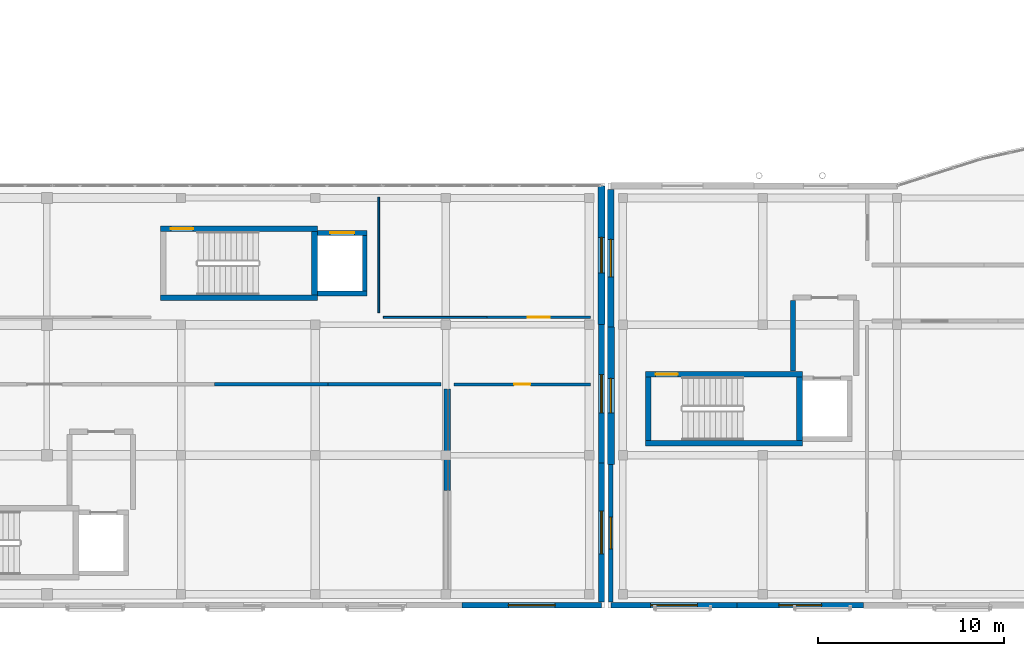
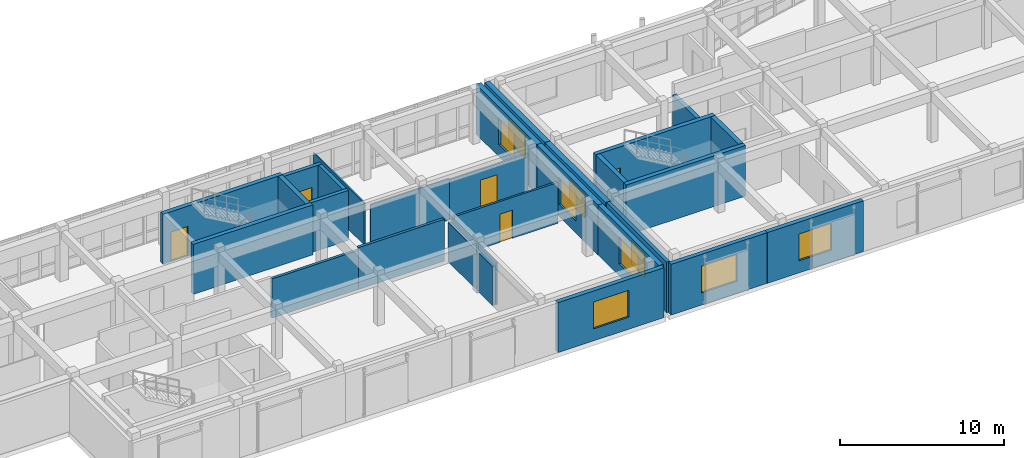
# One storey, part 78 of 91: 28 walls, 9 windows, 5 doors, 14 openings.
"""IFC4 building model written with IfcOpenShell, lengths in metres."""

from ifc_helpers import new_model, si_unit, direction, frame, frame_2d, origin, place, context, subcontext, project, spatial, rectangle, extrude, material, layer, layer_set, type_object, element, fill, save


model = new_model("IFC4")

# Units and contexts
model_context = context("Model", 3, precision=1e-05, world=origin(), true_north=direction((0.0, 1.0)))
body_context = subcontext(model_context, "Body", "Model", "MODEL_VIEW")
ifc_project = project(units=[si_unit("LENGTHUNIT", "METRE"), si_unit("AREAUNIT", "SQUARE_METRE"), si_unit("VOLUMEUNIT", "CUBIC_METRE"), si_unit("PLANEANGLEUNIT", "RADIAN"), si_unit("MASSUNIT", "GRAM", prefix="KILO")], contexts=[model_context])

# Site, building, storey
site_placement = place(None, origin())
site = spatial("IfcSite", under=ifc_project, at=site_placement, CompositionType="ELEMENT")
building_placement = place(site_placement, origin())
building = spatial("IfcBuilding", under=site, at=building_placement, Name="Valcora Specialist Clinic", CompositionType="ELEMENT")
storey_placement = place(building_placement, frame((0.0, 0.0, 13.60009765625)))
storey = spatial("IfcBuildingStorey", under=building, at=storey_placement, Name="L03", CompositionType="ELEMENT", Elevation=13.60009765625)

# Walls
ifc_material_1 = material(Name="Concrete C40/50", Category="concrete")
ifc_layer_1 = layer(ifc_material_1, 0.284912109375)
ifc_layer_set_1 = layer_set([ifc_layer_1], Name="Concrete C40/50")
wall_type_1 = type_object("IfcWallType", Name="TY-WL-CR285", PredefinedType="SHEAR", material=ifc_layer_set_1)
wall_1_placement = place(storey_placement, frame((63.419921875, 12.719970703125, 0.0), z_axis=(0.0, 0.0, 1.0), x_axis=(0.0, 1.0, 0.0)))
element("IfcWall", 1, at=wall_1_placement, inside=storey, type_object=wall_type_1, Name="Firefighting lobby west wall", PredefinedType="SHEAR", context=body_context, shape_type="SweptSolid", body=[
    extrude(rectangle(XDim=3.7900390625, YDim=0.284912109375, at=frame_2d((1.89501953125, 0.0))), origin(), (0.0, 0.0, 1.0), 3.02978515625),
])
ifc_layer_2 = layer(ifc_material_1, 0.300048828125)
ifc_layer_set_2 = layer_set([ifc_layer_2], Name="Concrete C40/50")
wall_type_2 = type_object("IfcWallType", Name="TY-WL-CR300", PredefinedType="SHEAR", material=ifc_layer_set_2)
wall_2_placement = place(storey_placement, frame((29.5, 16.64990234375, 0.0), z_axis=(0.0, 0.0, 1.0), x_axis=(1.0, 0.0, 0.0)))
element("IfcWall", 2, at=wall_2_placement, inside=storey, type_object=wall_type_2, Name="Core shear wall WL-CR-C-V5B-L03-S", PredefinedType="SHEAR", context=body_context, shape_type="SweptSolid", body=[
    extrude(rectangle(XDim=8.419921875, YDim=0.300048828125, at=frame_2d((4.2099609375, 0.0))), origin(), (0.0, 0.0, 1.0), 3.719970703125),
])

# Wall, opening, door
wall_3_placement = place(storey_placement, frame((29.5, 20.35009765625, 0.0), z_axis=(0.0, 0.0, 1.0), x_axis=(1.0, 0.0, 0.0)))
wall_3 = element("IfcWall", 3, at=wall_3_placement, inside=storey, type_object=wall_type_2, Name="Core shear wall WL-CR-C-V5B-L03-N", PredefinedType="SHEAR", context=body_context, shape_type="SweptSolid", body=[
    extrude(rectangle(XDim=8.419921875, YDim=0.300048828125, at=frame_2d((4.2099609375, 0.0))), origin(), (0.0, 0.0, 1.0), 3.719970703125),
])
opening_1_placement = place(wall_3_placement, frame((0.550048828125, 0.0, 0.0)))
opening_1 = element("IfcOpeningElement", 4, at=opening_1_placement, cuts=wall_3, Name="Opening DR-FD-120", PredefinedType="OPENING", context=body_context, shape_type="SweptSolid", body=[
    extrude(rectangle(XDim=1.199951171875, YDim=2.199951171875, at=frame_2d((0.60009765625, 1.10009765625))), frame((0.0, 0.159912109375, 0.0), z_axis=(0.0, -1.0, 0.0), x_axis=(1.0, 0.0, 0.0)), (0.0, 0.0, 1.0), 0.320068359375),
])
ifc_material_2 = material(Name="Galvanized Hollow Metal Door Steel ASTM A653", Category="steel")
door_type_1 = type_object("IfcDoorType", Name="TY-DR-ST120", OperationType="NOTDEFINED", PredefinedType="DOOR", material=ifc_material_2)
door_1_placement = place(opening_1_placement, origin())
door_1 = element("IfcDoor", 5, at=door_1_placement, inside=storey, type_object=door_type_1, Name="Exit stair fire door C-V5B L03", OperationType="SINGLE_SWING_RIGHT", OverallHeight=2.199951171875, OverallWidth=1.199951171875, PredefinedType="DOOR", context=body_context, shape_type="SweptSolid", body=[
    extrude(rectangle(XDim=1.199951171875, YDim=2.199951171875, at=frame_2d((0.60009765625, 1.10009765625))), frame((0.0, 0.02490234375, 0.0), z_axis=(0.0, -1.0, 0.0), x_axis=(1.0, 0.0, 0.0)), (0.0, 0.0, 1.0), 0.050048828125),
])
fill(opening_1, door_1)

# Wall
wall_4_placement = place(storey_placement, frame((55.5, 8.85009765625, 0.0), z_axis=(0.0, 0.0, 1.0), x_axis=(1.0, 0.0, 0.0)))
element("IfcWall", 6, at=wall_4_placement, inside=storey, type_object=wall_type_2, Name="Core shear wall WL-CR-C-V6A-L03-S", PredefinedType="SHEAR", context=body_context, shape_type="SweptSolid", body=[
    extrude(rectangle(XDim=8.419921875, YDim=0.300048828125, at=frame_2d((4.2099609375, 0.0))), origin(), (0.0, 0.0, 1.0), 3.77978515625),
])

# Wall, opening, door
wall_5_placement = place(storey_placement, frame((55.5, 12.550048828125, 0.0), z_axis=(0.0, 0.0, 1.0), x_axis=(1.0, 0.0, 0.0)))
wall_5 = element("IfcWall", 7, at=wall_5_placement, inside=storey, type_object=wall_type_2, Name="Core shear wall WL-CR-C-V6A-L03-N", PredefinedType="SHEAR", context=body_context, shape_type="SweptSolid", body=[
    extrude(rectangle(XDim=8.419921875, YDim=0.300048828125, at=frame_2d((4.2099609375, 0.0))), origin(), (0.0, 0.0, 1.0), 3.77978515625),
])
opening_2_placement = place(wall_5_placement, frame((0.550048828125, 0.0, 0.0)))
opening_2 = element("IfcOpeningElement", 8, at=opening_2_placement, cuts=wall_5, Name="Opening DR-FD-120", PredefinedType="OPENING", context=body_context, shape_type="SweptSolid", body=[
    extrude(rectangle(XDim=1.199951171875, YDim=2.199951171875, at=frame_2d((0.60009765625, 1.10009765625))), frame((0.0, 0.159912109375, 0.0), z_axis=(0.0, -1.0, 0.0), x_axis=(1.0, 0.0, 0.0)), (0.0, 0.0, 1.0), 0.320068359375),
])
door_2_placement = place(opening_2_placement, origin())
door_2 = element("IfcDoor", 9, at=door_2_placement, inside=storey, type_object=door_type_1, Name="Exit stair fire door C-V6A L03", OperationType="SINGLE_SWING_LEFT", OverallHeight=2.199951171875, OverallWidth=1.199951171875, PredefinedType="DOOR", context=body_context, shape_type="SweptSolid", body=[
    extrude(rectangle(XDim=1.199951171875, YDim=2.199951171875, at=frame_2d((0.60009765625, 1.10009765625))), frame((0.0, 0.02490234375, 0.0), z_axis=(0.0, -1.0, 0.0), x_axis=(1.0, 0.0, 0.0)), (0.0, 0.0, 1.0), 0.050048828125),
])
fill(opening_2, door_2)

# Walls
wall_6_placement = place(storey_placement, frame((55.64990234375, 9.001953125, 0.0), z_axis=(0.0, 0.0, 1.0), x_axis=(0.0, 1.0, 0.0)))
element("IfcWall", 10, at=wall_6_placement, inside=storey, type_object=wall_type_2, Name="Core shear wall WL-CR-C-V6A-L03-W", PredefinedType="SHEAR", context=body_context, shape_type="SweptSolid", body=[
    extrude(rectangle(XDim=3.39599609375, YDim=0.300048828125, at=frame_2d((1.697998046875, 0.0))), origin(), (0.0, 0.0, 1.0), 3.77978515625),
])
ifc_layer_3 = layer(ifc_material_1, 0.320068359375)
ifc_layer_set_3 = layer_set([ifc_layer_3], Name="Concrete C40/50")
wall_type_3 = type_object("IfcWallType", Name="TY-WL-CR320", PredefinedType="SHEAR", material=ifc_layer_set_3)
wall_7_placement = place(storey_placement, frame((37.760009765625, 16.802001953125, 0.0), z_axis=(0.0, 0.0, 1.0), x_axis=(0.0, 1.0, 0.0)))
element("IfcWall", 11, at=wall_7_placement, inside=storey, type_object=wall_type_3, Name="Core shear wall WL-CR-C-V5B-L03-E", PredefinedType="SHEAR", context=body_context, shape_type="SweptSolid", body=[
    extrude(rectangle(XDim=3.39599609375, YDim=0.320068359375, at=frame_2d((1.697998046875, 0.0))), origin(), (0.0, 0.0, 1.0), 3.719970703125),
])
wall_8_placement = place(storey_placement, frame((63.760009765625, 9.001953125, 0.0), z_axis=(0.0, 0.0, 1.0), x_axis=(0.0, 1.0, 0.0)))
element("IfcWall", 12, at=wall_8_placement, inside=storey, type_object=wall_type_3, Name="Core shear wall WL-CR-C-V6A-L03-E", PredefinedType="SHEAR", context=body_context, shape_type="SweptSolid", body=[
    extrude(rectangle(XDim=3.39599609375, YDim=0.320068359375, at=frame_2d((1.697998046875, 0.0))), origin(), (0.0, 0.0, 1.0), 3.77978515625),
])

# Wall, opening, window
ifc_material_3 = material(Name="Extruded Jalisco Clay Brick Masonry", Category="masonry")
ifc_layer_4 = layer(ifc_material_3, 0.235107421875)
ifc_layer_set_4 = layer_set([ifc_layer_4], Name="Extruded Jalisco Clay Brick Masonry")
wall_type_4 = type_object("IfcWallType", Name="TY-WL-EW235", PredefinedType="SOLIDWALL", material=ifc_layer_set_4)
wall_9_placement = place(storey_placement, frame((53.64990234375, 0.340087890625, 0.0), z_axis=(0.0, 0.0, 1.0), x_axis=(0.0, 1.0, 0.0)))
wall_9 = element("IfcWall", 13, at=wall_9_placement, inside=storey, type_object=wall_type_4, Name="Exterior wall WL-EXT-L03-0360", PredefinedType="SOLIDWALL", context=body_context, shape_type="SweptSolid", body=[
    extrude(rectangle(XDim=7.373291015625, YDim=0.235107421875, at=frame_2d((3.6865234375, 0.0))), origin(), (0.0, 0.0, 1.0), 3.77978515625),
])
opening_3_placement = place(wall_9_placement, frame((2.8369140625, 0.0, 0.89990234375)))
opening_3 = element("IfcOpeningElement", 14, at=opening_3_placement, cuts=wall_9, Name="Opening WN-16", PredefinedType="OPENING", context=body_context, shape_type="SweptSolid", body=[
    extrude(rectangle(XDim=1.699951171875, YDim=1.75, at=frame_2d((0.85009765625, 0.875))), frame((0.0, 0.12744140625, 0.0), z_axis=(0.0, -1.0, 0.0), x_axis=(1.0, 0.0, 0.0)), (0.0, 0.0, 1.0), 0.255126953125),
])
ifc_material_4 = material(Name="Low-E Laminated Insulating Glass", Category="glass")
window_type_1 = type_object("IfcWindowType", Name="TY-WN-16", PartitioningType="SINGLE_PANEL", PredefinedType="WINDOW", material=ifc_material_4)
window_1_placement = place(opening_3_placement, origin())
window_1 = element("IfcWindow", 15, at=window_1_placement, inside=storey, type_object=window_type_1, Name="Facade window WN-L03-0310", OverallHeight=1.75, OverallWidth=1.699951171875, PartitioningType="SINGLE_PANEL", PredefinedType="WINDOW", context=body_context, shape_type="SweptSolid", body=[
    extrude(rectangle(XDim=1.699951171875, YDim=1.75, at=frame_2d((0.85009765625, 0.875))), frame((0.0, 0.030029296875, 0.0), z_axis=(0.0, -1.0, 0.0), x_axis=(1.0, 0.0, 0.0)), (0.0, 0.0, 1.0), 0.06005859375),
])
fill(opening_3, window_1)

ifc_layer_5 = layer(ifc_material_3, 0.294921875)
ifc_layer_set_5 = layer_set([ifc_layer_5], Name="Extruded Jalisco Clay Brick Masonry")
wall_type_5 = type_object("IfcWallType", Name="TY-WL-EW295", PredefinedType="SOLIDWALL", material=ifc_layer_set_5)
wall_10_placement = place(storey_placement, frame((60.425048828125, 0.14990234375, 0.0), z_axis=(0.0, 0.0, 1.0), x_axis=(-1.0, 0.0, 0.0)))
wall_10 = element("IfcWall", 16, at=wall_10_placement, inside=storey, type_object=wall_type_5, Name="Exterior wall WL-EXT-L03-0376", PredefinedType="SOLIDWALL", context=body_context, shape_type="SweptSolid", body=[
    extrude(rectangle(XDim=6.775146484375, YDim=0.294921875, at=frame_2d((3.3876953125, 0.0))), origin(), (0.0, 0.0, 1.0), 3.77978515625),
])
opening_4_placement = place(wall_10_placement, frame((2.136962890625, 0.0, 0.89990234375)))
opening_4 = element("IfcOpeningElement", 17, at=opening_4_placement, cuts=wall_10, Name="Opening WN-29", PredefinedType="OPENING", context=body_context, shape_type="SweptSolid", body=[
    extrude(rectangle(XDim=2.5, YDim=2.0, at=frame_2d((1.25, 1.0))), frame((0.0, 0.157470703125, 0.0), z_axis=(0.0, -1.0, 0.0), x_axis=(1.0, 0.0, 0.0)), (0.0, 0.0, 1.0), 0.31494140625),
])
window_type_2 = type_object("IfcWindowType", Name="TY-WN-29", PartitioningType="SINGLE_PANEL", PredefinedType="WINDOW", material=ifc_material_4)
window_2_placement = place(opening_4_placement, origin())
window_2 = element("IfcWindow", 18, at=window_2_placement, inside=storey, type_object=window_type_2, Name="Facade window WN-L03-0323", OverallHeight=2.0, OverallWidth=2.5, PartitioningType="SINGLE_PANEL", PredefinedType="WINDOW", context=body_context, shape_type="SweptSolid", body=[
    extrude(rectangle(XDim=2.5, YDim=2.0, at=frame_2d((1.25, 1.0))), frame((0.0, 0.030029296875, 0.0), z_axis=(0.0, -1.0, 0.0), x_axis=(1.0, 0.0, 0.0)), (0.0, 0.0, 1.0), 0.06005859375),
])
fill(opening_4, window_2)

ifc_layer_6 = layer(ifc_material_3, 0.31005859375)
ifc_layer_set_6 = layer_set([ifc_layer_6], Name="Extruded Jalisco Clay Brick Masonry")
wall_type_6 = type_object("IfcWallType", Name="TY-WL-EW310", PredefinedType="SOLIDWALL", material=ifc_layer_set_6)
wall_11_placement = place(storey_placement, frame((53.14990234375, 0.14990234375, 0.0), z_axis=(0.0, 0.0, 1.0), x_axis=(-1.0, 0.0, 0.0)))
wall_11 = element("IfcWall", 19, at=wall_11_placement, inside=storey, type_object=wall_type_6, Name="Exterior wall WL-EXT-L03-0275", PredefinedType="SOLIDWALL", context=body_context, shape_type="SweptSolid", body=[
    extrude(rectangle(XDim=7.47998046875, YDim=0.31005859375, at=frame_2d((3.739990234375, 0.0))), origin(), (0.0, 0.0, 1.0), 3.719970703125),
])
opening_5_placement = place(wall_11_placement, frame((2.489990234375, 0.0, 0.89990234375)))
opening_5 = element("IfcOpeningElement", 20, at=opening_5_placement, cuts=wall_11, Name="Opening WN-29", PredefinedType="OPENING", context=body_context, shape_type="SweptSolid", body=[
    extrude(rectangle(XDim=2.5, YDim=2.0, at=frame_2d((1.25, 1.0))), frame((0.0, 0.1650390625, 0.0), z_axis=(0.0, -1.0, 0.0), x_axis=(1.0, 0.0, 0.0)), (0.0, 0.0, 1.0), 0.330078125),
])
window_3_placement = place(opening_5_placement, origin())
window_3 = element("IfcWindow", 21, at=window_3_placement, inside=storey, type_object=window_type_2, Name="Facade window WN-L03-0239", OverallHeight=2.0, OverallWidth=2.5, PartitioningType="SINGLE_PANEL", PredefinedType="WINDOW", context=body_context, shape_type="SweptSolid", body=[
    extrude(rectangle(XDim=2.5, YDim=2.0, at=frame_2d((1.25, 1.0))), frame((0.0, 0.030029296875, 0.0), z_axis=(0.0, -1.0, 0.0), x_axis=(1.0, 0.0, 0.0)), (0.0, 0.0, 1.0), 0.06005859375),
])
fill(opening_5, window_3)

wall_12_placement = place(storey_placement, frame((67.199951171875, 0.14990234375, 0.0), z_axis=(0.0, 0.0, 1.0), x_axis=(-1.0, 0.0, 0.0)))
wall_12 = element("IfcWall", 22, at=wall_12_placement, inside=storey, type_object=wall_type_6, Name="Exterior wall WL-EXT-L03-0375", PredefinedType="SOLIDWALL", context=body_context, shape_type="SweptSolid", body=[
    extrude(rectangle(XDim=6.77490234375, YDim=0.31005859375, at=frame_2d((3.387451171875, 0.0))), origin(), (0.0, 0.0, 1.0), 3.77978515625),
])
opening_6_placement = place(wall_12_placement, frame((2.238037109375, 0.0, 0.89990234375)))
opening_6 = element("IfcOpeningElement", 23, at=opening_6_placement, cuts=wall_12, Name="Opening WN-28", PredefinedType="OPENING", context=body_context, shape_type="SweptSolid", body=[
    extrude(rectangle(XDim=2.300048828125, YDim=2.0, at=frame_2d((1.14990234375, 1.0))), frame((0.0, 0.1650390625, 0.0), z_axis=(0.0, -1.0, 0.0), x_axis=(1.0, 0.0, 0.0)), (0.0, 0.0, 1.0), 0.330078125),
])
window_type_3 = type_object("IfcWindowType", Name="TY-WN-28", PartitioningType="SINGLE_PANEL", PredefinedType="WINDOW", material=ifc_material_4)
window_4_placement = place(opening_6_placement, origin())
window_4 = element("IfcWindow", 24, at=window_4_placement, inside=storey, type_object=window_type_3, Name="Facade window WN-L03-0322", OverallHeight=2.0, OverallWidth=2.300048828125, PartitioningType="SINGLE_PANEL", PredefinedType="WINDOW", context=body_context, shape_type="SweptSolid", body=[
    extrude(rectangle(XDim=2.300048828125, YDim=2.0, at=frame_2d((1.14990234375, 1.0))), frame((0.0, 0.030029296875, 0.0), z_axis=(0.0, -1.0, 0.0), x_axis=(1.0, 0.0, 0.0)), (0.0, 0.0, 1.0), 0.06005859375),
])
fill(opening_6, window_4)

ifc_layer_7 = layer(ifc_material_3, 0.324951171875)
ifc_layer_set_7 = layer_set([ifc_layer_7], Name="Extruded Jalisco Clay Brick Masonry")
wall_type_7 = type_object("IfcWallType", Name="TY-WL-EW325", PredefinedType="SOLIDWALL", material=ifc_layer_set_7)
wall_13_placement = place(storey_placement, frame((53.14990234375, 7.776611328125, 0.0), z_axis=(0.0, 0.0, 1.0), x_axis=(0.0, -1.0, 0.0)))
wall_13 = element("IfcWall", 25, at=wall_13_placement, inside=storey, type_object=wall_type_7, Name="Exterior wall WL-EXT-L03-0274", PredefinedType="SOLIDWALL", context=body_context, shape_type="SweptSolid", body=[
    extrude(rectangle(XDim=7.4365234375, YDim=0.324951171875, at=frame_2d((3.71826171875, 0.0))), origin(), (0.0, 0.0, 1.0), 3.719970703125),
])
opening_7_placement = place(wall_13_placement, frame((2.568115234375, 0.0, 0.89990234375)))
opening_7 = element("IfcOpeningElement", 26, at=opening_7_placement, cuts=wall_13, Name="Opening WN-28", PredefinedType="OPENING", context=body_context, shape_type="SweptSolid", body=[
    extrude(rectangle(XDim=2.300048828125, YDim=2.0, at=frame_2d((1.14990234375, 1.0))), frame((0.0, 0.17236328125, 0.0), z_axis=(0.0, -1.0, 0.0), x_axis=(1.0, 0.0, 0.0)), (0.0, 0.0, 1.0), 0.344970703125),
])
window_5_placement = place(opening_7_placement, origin())
window_5 = element("IfcWindow", 27, at=window_5_placement, inside=storey, type_object=window_type_3, Name="Facade window WN-L03-0238", OverallHeight=2.0, OverallWidth=2.300048828125, PartitioningType="SINGLE_PANEL", PredefinedType="WINDOW", context=body_context, shape_type="SweptSolid", body=[
    extrude(rectangle(XDim=2.300048828125, YDim=2.0, at=frame_2d((1.14990234375, 1.0))), frame((0.0, 0.030029296875, 0.0), z_axis=(0.0, -1.0, 0.0), x_axis=(1.0, 0.0, 0.0)), (0.0, 0.0, 1.0), 0.06005859375),
])
fill(opening_7, window_5)

ifc_layer_8 = layer(ifc_material_3, 0.340087890625)
ifc_layer_set_8 = layer_set([ifc_layer_8], Name="Extruded Jalisco Clay Brick Masonry")
wall_type_8 = type_object("IfcWallType", Name="TY-WL-EW340", PredefinedType="SOLIDWALL", material=ifc_layer_set_8)
wall_14_placement = place(storey_placement, frame((53.14990234375, 15.21337890625, 0.0), z_axis=(0.0, 0.0, 1.0), x_axis=(0.0, -1.0, 0.0)))
wall_14 = element("IfcWall", 28, at=wall_14_placement, inside=storey, type_object=wall_type_8, Name="Exterior wall WL-EXT-L03-0273", PredefinedType="SOLIDWALL", context=body_context, shape_type="SweptSolid", body=[
    extrude(rectangle(XDim=7.436767578125, YDim=0.340087890625, at=frame_2d((3.71826171875, 0.0))), origin(), (0.0, 0.0, 1.0), 3.719970703125),
])
opening_8_placement = place(wall_14_placement, frame((2.693115234375, 0.0, 0.89990234375)))
opening_8 = element("IfcOpeningElement", 29, at=opening_8_placement, cuts=wall_14, Name="Opening WN-27", PredefinedType="OPENING", context=body_context, shape_type="SweptSolid", body=[
    extrude(rectangle(XDim=2.050048828125, YDim=2.0, at=frame_2d((1.02490234375, 1.0))), frame((0.0, 0.179931640625, 0.0), z_axis=(0.0, -1.0, 0.0), x_axis=(1.0, 0.0, 0.0)), (0.0, 0.0, 1.0), 0.360107421875),
])
window_type_4 = type_object("IfcWindowType", Name="TY-WN-27", PartitioningType="SINGLE_PANEL", PredefinedType="WINDOW", material=ifc_material_4)
window_6_placement = place(opening_8_placement, origin())
window_6 = element("IfcWindow", 30, at=window_6_placement, inside=storey, type_object=window_type_4, Name="Facade window WN-L03-0237", OverallHeight=2.0, OverallWidth=2.050048828125, PartitioningType="SINGLE_PANEL", PredefinedType="WINDOW", context=body_context, shape_type="SweptSolid", body=[
    extrude(rectangle(XDim=2.050048828125, YDim=2.0, at=frame_2d((1.02490234375, 1.0))), frame((0.0, 0.030029296875, 0.0), z_axis=(0.0, -1.0, 0.0), x_axis=(1.0, 0.0, 0.0)), (0.0, 0.0, 1.0), 0.06005859375),
])
fill(opening_8, window_6)

ifc_layer_9 = layer(ifc_material_3, 0.35498046875)
ifc_layer_set_9 = layer_set([ifc_layer_9], Name="Extruded Jalisco Clay Brick Masonry")
wall_type_9 = type_object("IfcWallType", Name="TY-WL-EW355", PredefinedType="SOLIDWALL", material=ifc_layer_set_9)
wall_15_placement = place(storey_placement, frame((53.14990234375, 22.64990234375, 0.0), z_axis=(0.0, 0.0, 1.0), x_axis=(0.0, -1.0, 0.0)))
wall_15 = element("IfcWall", 31, at=wall_15_placement, inside=storey, type_object=wall_type_9, Name="Exterior wall WL-EXT-L03-0272", PredefinedType="SOLIDWALL", context=body_context, shape_type="SweptSolid", body=[
    extrude(rectangle(XDim=7.4365234375, YDim=0.35498046875, at=frame_2d((3.71826171875, 0.0))), origin(), (0.0, 0.0, 1.0), 3.719970703125),
])
opening_9_placement = place(wall_15_placement, frame((2.76806640625, 0.0, 0.89990234375)))
opening_9 = element("IfcOpeningElement", 32, at=opening_9_placement, cuts=wall_15, Name="Opening WN-26", PredefinedType="OPENING", context=body_context, shape_type="SweptSolid", body=[
    extrude(rectangle(XDim=1.89990234375, YDim=2.0, at=frame_2d((0.949951171875, 1.0))), frame((0.0, 0.1875, 0.0), z_axis=(0.0, -1.0, 0.0), x_axis=(1.0, 0.0, 0.0)), (0.0, 0.0, 1.0), 0.375),
])
window_type_5 = type_object("IfcWindowType", Name="TY-WN-26", PartitioningType="SINGLE_PANEL", PredefinedType="WINDOW", material=ifc_material_4)
window_7_placement = place(opening_9_placement, origin())
window_7 = element("IfcWindow", 33, at=window_7_placement, inside=storey, type_object=window_type_5, Name="Facade window WN-L03-0236", OverallHeight=2.0, OverallWidth=1.89990234375, PartitioningType="SINGLE_PANEL", PredefinedType="WINDOW", context=body_context, shape_type="SweptSolid", body=[
    extrude(rectangle(XDim=1.89990234375, YDim=2.0, at=frame_2d((0.949951171875, 1.0))), frame((0.0, 0.030029296875, 0.0), z_axis=(0.0, -1.0, 0.0), x_axis=(1.0, 0.0, 0.0)), (0.0, 0.0, 1.0), 0.06005859375),
])
fill(opening_9, window_7)

wall_16_placement = place(storey_placement, frame((53.64990234375, 15.086669921875, 0.0), z_axis=(0.0, 0.0, 1.0), x_axis=(0.0, 1.0, 0.0)))
wall_16 = element("IfcWall", 34, at=wall_16_placement, inside=storey, type_object=wall_type_9, Name="Exterior wall WL-EXT-L03-0362", PredefinedType="SOLIDWALL", context=body_context, shape_type="SweptSolid", body=[
    extrude(rectangle(XDim=7.373291015625, YDim=0.35498046875, at=frame_2d((3.6865234375, 0.0))), origin(), (0.0, 0.0, 1.0), 3.77978515625),
])
opening_10_placement = place(wall_16_placement, frame((2.68701171875, 0.0, 0.89990234375)))
opening_10 = element("IfcOpeningElement", 35, at=opening_10_placement, cuts=wall_16, Name="Opening WN-18", PredefinedType="OPENING", context=body_context, shape_type="SweptSolid", body=[
    extrude(rectangle(XDim=2.0, YDim=1.75, at=frame_2d((1.0, 0.875))), frame((0.0, 0.1875, 0.0), z_axis=(0.0, -1.0, 0.0), x_axis=(1.0, 0.0, 0.0)), (0.0, 0.0, 1.0), 0.375),
])
window_type_6 = type_object("IfcWindowType", Name="TY-WN-18", PartitioningType="SINGLE_PANEL", PredefinedType="WINDOW", material=ifc_material_4)
window_8_placement = place(opening_10_placement, origin())
window_8 = element("IfcWindow", 36, at=window_8_placement, inside=storey, type_object=window_type_6, Name="Facade window WN-L03-0312", OverallHeight=1.75, OverallWidth=2.0, PartitioningType="SINGLE_PANEL", PredefinedType="WINDOW", context=body_context, shape_type="SweptSolid", body=[
    extrude(rectangle(XDim=2.0, YDim=1.75, at=frame_2d((1.0, 0.875))), frame((0.0, 0.030029296875, 0.0), z_axis=(0.0, -1.0, 0.0), x_axis=(1.0, 0.0, 0.0)), (0.0, 0.0, 1.0), 0.06005859375),
])
fill(opening_10, window_8)

ifc_layer_10 = layer(ifc_material_3, 0.3701171875)
ifc_layer_set_10 = layer_set([ifc_layer_10], Name="Extruded Jalisco Clay Brick Masonry")
wall_type_10 = type_object("IfcWallType", Name="TY-WL-EW370", PredefinedType="SOLIDWALL", material=ifc_layer_set_10)
wall_17_placement = place(storey_placement, frame((53.64990234375, 7.71337890625, 0.0), z_axis=(0.0, 0.0, 1.0), x_axis=(0.0, 1.0, 0.0)))
wall_17 = element("IfcWall", 37, at=wall_17_placement, inside=storey, type_object=wall_type_10, Name="Exterior wall WL-EXT-L03-0361", PredefinedType="SOLIDWALL", context=body_context, shape_type="SweptSolid", body=[
    extrude(rectangle(XDim=7.373291015625, YDim=0.3701171875, at=frame_2d((3.6865234375, 0.0))), origin(), (0.0, 0.0, 1.0), 3.77978515625),
])
opening_11_placement = place(wall_17_placement, frame((2.761962890625, 0.0, 0.89990234375)))
opening_11 = element("IfcOpeningElement", 38, at=opening_11_placement, cuts=wall_17, Name="Opening WN-17", PredefinedType="OPENING", context=body_context, shape_type="SweptSolid", body=[
    extrude(rectangle(XDim=1.85009765625, YDim=1.75, at=frame_2d((0.925048828125, 0.875))), frame((0.0, 0.195068359375, 0.0), z_axis=(0.0, -1.0, 0.0), x_axis=(1.0, 0.0, 0.0)), (0.0, 0.0, 1.0), 0.39013671875),
])
window_type_7 = type_object("IfcWindowType", Name="TY-WN-17", PartitioningType="SINGLE_PANEL", PredefinedType="WINDOW", material=ifc_material_4)
window_9_placement = place(opening_11_placement, origin())
window_9 = element("IfcWindow", 39, at=window_9_placement, inside=storey, type_object=window_type_7, Name="Facade window WN-L03-0311", OverallHeight=1.75, OverallWidth=1.85009765625, PartitioningType="SINGLE_PANEL", PredefinedType="WINDOW", context=body_context, shape_type="SweptSolid", body=[
    extrude(rectangle(XDim=1.85009765625, YDim=1.75, at=frame_2d((0.925048828125, 0.875))), frame((0.0, 0.030029296875, 0.0), z_axis=(0.0, -1.0, 0.0), x_axis=(1.0, 0.0, 0.0)), (0.0, 0.0, 1.0), 0.06005859375),
])
fill(opening_11, window_9)

# Walls
ifc_material_5 = material(Name="Gypsum Board Partition Assembly")
ifc_layer_11 = layer(ifc_material_5, 0.094970703125)
ifc_layer_set_11 = layer_set([ifc_layer_11], Name="Gypsum Board Partition Assembly")
wall_type_11 = type_object("IfcWallType", Name="TY-WL-PT095", PredefinedType="PARTITIONING", material=ifc_layer_set_11)
wall_18_placement = place(storey_placement, frame((41.199951171875, 15.85009765625, 0.0), z_axis=(0.0, 0.0, 1.0), x_axis=(0.0, 1.0, 0.0)))
element("IfcWall", 40, at=wall_18_placement, inside=storey, type_object=wall_type_11, Name="Interior partition WL-INT-L03-0437", PredefinedType="PARTITIONING", context=body_context, shape_type="SweptSolid", body=[
    extrude(rectangle(XDim=6.199951171875, YDim=0.094970703125, at=frame_2d((3.10009765625, 0.0))), origin(), (0.0, 0.0, 1.0), 3.119873046875),
])
ifc_layer_12 = layer(ifc_material_5, 0.10498046875)
ifc_layer_set_12 = layer_set([ifc_layer_12], Name="Gypsum Board Partition Assembly")
wall_type_12 = type_object("IfcWallType", Name="TY-WL-PT105", PredefinedType="PARTITIONING", material=ifc_layer_set_12)
wall_19_placement = place(storey_placement, frame((47.0, 15.60009765625, 0.0), z_axis=(0.0, 0.0, 1.0), x_axis=(-1.0, 0.0, 0.0)))
element("IfcWall", 41, at=wall_19_placement, inside=storey, type_object=wall_type_12, Name="Interior partition WL-INT-L03-0436", PredefinedType="PARTITIONING", context=body_context, shape_type="SweptSolid", body=[
    extrude(rectangle(XDim=5.550048828125, YDim=0.10498046875, at=frame_2d((2.77490234375, 0.0))), origin(), (0.0, 0.0, 1.0), 3.06982421875),
])

# Wall, opening, door
ifc_layer_13 = layer(ifc_material_5, 0.114990234375)
ifc_layer_set_13 = layer_set([ifc_layer_13], Name="Gypsum Board Partition Assembly")
wall_type_13 = type_object("IfcWallType", Name="TY-WL-PT115", PredefinedType="PARTITIONING", material=ifc_layer_set_13)
wall_20_placement = place(storey_placement, frame((52.550048828125, 15.60009765625, 0.0), z_axis=(0.0, 0.0, 1.0), x_axis=(-1.0, 0.0, 0.0)))
wall_20 = element("IfcWall", 42, at=wall_20_placement, inside=storey, type_object=wall_type_13, Name="Interior partition WL-INT-L03-0435", PredefinedType="PARTITIONING", context=body_context, shape_type="SweptSolid", body=[
    extrude(rectangle(XDim=5.550048828125, YDim=0.114990234375, at=frame_2d((2.77490234375, 0.0))), origin(), (0.0, 0.0, 1.0), 2.994873046875),
])
opening_12_placement = place(wall_20_placement, frame((2.18505859375, 0.0, 0.0)))
opening_12 = element("IfcOpeningElement", 43, at=opening_12_placement, cuts=wall_20, Name="Opening DR-CN-118", PredefinedType="OPENING", context=body_context, shape_type="SweptSolid", body=[
    extrude(rectangle(XDim=1.179931640625, YDim=2.199951171875, at=frame_2d((0.58984375, 1.10009765625))), frame((0.0, 0.0673828125, 0.0), z_axis=(0.0, -1.0, 0.0), x_axis=(1.0, 0.0, 0.0)), (0.0, 0.0, 1.0), 0.135009765625),
])
ifc_material_6 = material(Name="Glulam Conifer Class 24F", Category="wood")
door_type_2 = type_object("IfcDoorType", Name="TY-DR-CN118", OperationType="NOTDEFINED", PredefinedType="DOOR", material=ifc_material_6)
door_3_placement = place(opening_12_placement, origin())
door_3 = element("IfcDoor", 44, at=door_3_placement, inside=storey, type_object=door_type_2, Name="Interior door DR-INT-L03-0121", OperationType="SINGLE_SWING_LEFT", OverallHeight=2.199951171875, OverallWidth=1.179931640625, PredefinedType="DOOR", context=body_context, shape_type="SweptSolid", body=[
    extrude(rectangle(XDim=1.179931640625, YDim=2.199951171875, at=frame_2d((0.58984375, 1.10009765625))), frame((0.0, 0.02490234375, 0.0), z_axis=(0.0, -1.0, 0.0), x_axis=(1.0, 0.0, 0.0)), (0.0, 0.0, 1.0), 0.050048828125),
])
fill(opening_12, door_3)

# Wall
ifc_layer_14 = layer(ifc_material_5, 0.125)
ifc_layer_set_14 = layer_set([ifc_layer_14], Name="Gypsum Board Partition Assembly")
wall_type_14 = type_object("IfcWallType", Name="TY-WL-PT125", PredefinedType="PARTITIONING", material=ifc_layer_set_14)
wall_21_placement = place(storey_placement, frame((45.0, 6.300048828125, 0.0), z_axis=(0.0, 0.0, 1.0), x_axis=(0.0, 1.0, 0.0)))
element("IfcWall", 45, at=wall_21_placement, inside=storey, type_object=wall_type_14, Name="Interior partition WL-INT-L03-0434", PredefinedType="PARTITIONING", context=body_context, shape_type="SweptSolid", body=[
    extrude(rectangle(XDim=5.449951171875, YDim=0.125, at=frame_2d((2.72509765625, 0.0))), origin(), (0.0, 0.0, 1.0), 3.119873046875),
])

# Wall, opening, door
ifc_layer_15 = layer(ifc_material_5, 0.14501953125)
ifc_layer_set_15 = layer_set([ifc_layer_15], Name="Gypsum Board Partition Assembly")
wall_type_15 = type_object("IfcWallType", Name="TY-WL-PT145", PredefinedType="PARTITIONING", material=ifc_layer_set_15)
wall_22_placement = place(storey_placement, frame((45.25, 12.0, 0.0), z_axis=(0.0, 0.0, 1.0), x_axis=(1.0, 0.0, 0.0)))
wall_22 = element("IfcWall", 46, at=wall_22_placement, inside=storey, type_object=wall_type_15, Name="Interior partition WL-INT-L03-0432", PredefinedType="PARTITIONING", context=body_context, shape_type="SweptSolid", body=[
    extrude(rectangle(XDim=7.300048828125, YDim=0.14501953125, at=frame_2d((3.64990234375, 0.0))), origin(), (0.0, 0.0, 1.0), 3.044921875),
])
opening_13_placement = place(wall_22_placement, frame((3.2099609375, 0.0, 0.0)))
opening_13 = element("IfcOpeningElement", 47, at=opening_13_placement, cuts=wall_22, Name="Opening DR-WC-088", PredefinedType="OPENING", context=body_context, shape_type="SweptSolid", body=[
    extrude(rectangle(XDim=0.8798828125, YDim=2.10009765625, at=frame_2d((0.43994140625, 1.050048828125))), frame((0.0, 0.08251953125, 0.0), z_axis=(0.0, -1.0, 0.0), x_axis=(1.0, 0.0, 0.0)), (0.0, 0.0, 1.0), 0.1650390625),
])
door_type_3 = type_object("IfcDoorType", Name="TY-DR-WC088", OperationType="NOTDEFINED", PredefinedType="DOOR", material=ifc_material_6)
door_4_placement = place(opening_13_placement, origin())
door_4 = element("IfcDoor", 48, at=door_4_placement, inside=storey, type_object=door_type_3, Name="Interior door DR-INT-L03-0120", OperationType="SINGLE_SWING_RIGHT", OverallHeight=2.10009765625, OverallWidth=0.8798828125, PredefinedType="DOOR", context=body_context, shape_type="SweptSolid", body=[
    extrude(rectangle(XDim=0.8798828125, YDim=2.10009765625, at=frame_2d((0.43994140625, 1.050048828125))), frame((0.0, 0.02490234375, 0.0), z_axis=(0.0, -1.0, 0.0), x_axis=(1.0, 0.0, 0.0)), (0.0, 0.0, 1.0), 0.050048828125),
])
fill(opening_13, door_4)

# Walls
ifc_layer_16 = layer(ifc_material_5, 0.18505859375)
ifc_layer_set_16 = layer_set([ifc_layer_16], Name="Gypsum Board Partition Assembly")
wall_type_16 = type_object("IfcWallType", Name="TY-WL-PT185", PredefinedType="PARTITIONING", material=ifc_layer_set_16)
wall_23_placement = place(storey_placement, frame((44.800048828125, 11.75, 0.0), z_axis=(0.0, 0.0, 1.0), x_axis=(0.0, -1.0, 0.0)))
element("IfcWall", 49, at=wall_23_placement, inside=storey, type_object=wall_type_16, Name="Interior partition WL-INT-L03-0419", PredefinedType="PARTITIONING", context=body_context, shape_type="SweptSolid", body=[
    extrude(rectangle(XDim=5.449951171875, YDim=0.18505859375, at=frame_2d((2.72509765625, 0.0))), origin(), (0.0, 0.0, 1.0), 2.919921875),
])
wall_24_placement = place(storey_placement, frame((32.39990234375, 12.0, 0.0), z_axis=(0.0, 0.0, 1.0), x_axis=(1.0, 0.0, 0.0)))
element("IfcWall", 50, at=wall_24_placement, inside=storey, type_object=wall_type_16, Name="Interior partition WL-INT-L03-0424", PredefinedType="PARTITIONING", context=body_context, shape_type="SweptSolid", body=[
    extrude(rectangle(XDim=6.0751953125, YDim=0.18505859375, at=frame_2d((3.03759765625, 0.0))), origin(), (0.0, 0.0, 1.0), 2.919921875),
])
wall_25_placement = place(storey_placement, frame((38.47509765625, 12.0, 0.0), z_axis=(0.0, 0.0, 1.0), x_axis=(1.0, 0.0, 0.0)))
element("IfcWall", 51, at=wall_25_placement, inside=storey, type_object=wall_type_16, Name="Interior partition WL-INT-L03-0425", PredefinedType="PARTITIONING", context=body_context, shape_type="SweptSolid", body=[
    extrude(rectangle(XDim=6.074951171875, YDim=0.18505859375, at=frame_2d((3.03759765625, 0.0))), origin(), (0.0, 0.0, 1.0), 3.119873046875),
])
ifc_layer_17 = layer(ifc_material_1, 0.260009765625)
ifc_layer_set_17 = layer_set([ifc_layer_17], Name="Concrete C40/50")
wall_type_17 = type_object("IfcWallType", Name="TY-WL-SH260", PredefinedType="SHEAR", material=ifc_layer_set_17)
wall_26_placement = place(storey_placement, frame((37.922119140625, 16.8701171875, 0.0), z_axis=(0.0, 0.0, 1.0), x_axis=(1.0, 0.0, 0.0)))
element("IfcWall", 52, at=wall_26_placement, inside=storey, type_object=wall_type_17, Name="Lift shaft wall WL-LF-LF-06-L03-LS", PredefinedType="SHEAR", context=body_context, shape_type="SweptSolid", body=[
    extrude(rectangle(XDim=2.657958984375, YDim=0.260009765625, at=frame_2d((1.3291015625, 0.0))), origin(), (0.0, 0.0, 1.0), 3.719970703125),
])

# Wall, opening, door
wall_27_placement = place(storey_placement, frame((37.922119140625, 20.1298828125, 0.0), z_axis=(0.0, 0.0, 1.0), x_axis=(1.0, 0.0, 0.0)))
wall_27 = element("IfcWall", 53, at=wall_27_placement, inside=storey, type_object=wall_type_17, Name="Lift shaft wall WL-LF-LF-06-L03-LN", PredefinedType="SHEAR", context=body_context, shape_type="SweptSolid", body=[
    extrude(rectangle(XDim=2.657958984375, YDim=0.260009765625, at=frame_2d((1.3291015625, 0.0))), origin(), (0.0, 0.0, 1.0), 3.719970703125),
])
opening_14_placement = place(wall_27_placement, frame((0.678955078125, 0.0, 0.0)))
opening_14 = element("IfcOpeningElement", 54, at=opening_14_placement, cuts=wall_27, Name="Opening LD-130", PredefinedType="OPENING", context=body_context, shape_type="SweptSolid", body=[
    extrude(rectangle(XDim=1.300048828125, YDim=2.199951171875, at=frame_2d((0.64990234375, 1.10009765625))), frame((0.0, 0.139892578125, 0.0), z_axis=(0.0, -1.0, 0.0), x_axis=(1.0, 0.0, 0.0)), (0.0, 0.0, 1.0), 0.280029296875),
])
ifc_material_7 = material(Name="Stainless Steel AISI 316", Category="steel")
door_type_4 = type_object("IfcDoorType", Name="TY-LD-130", OperationType="NOTDEFINED", PredefinedType="DOOR", material=ifc_material_7)
door_5_placement = place(opening_14_placement, origin())
door_5 = element("IfcDoor", 55, at=door_5_placement, inside=storey, type_object=door_type_4, Name="Lift landing sliding door LF-06 L03", OperationType="SLIDING_TO_RIGHT", OverallHeight=2.199951171875, OverallWidth=1.300048828125, PredefinedType="DOOR", context=body_context, shape_type="SweptSolid", body=[
    extrude(rectangle(XDim=1.300048828125, YDim=2.199951171875, at=frame_2d((0.64990234375, 1.10009765625))), frame((0.0, 0.02490234375, 0.0), z_axis=(0.0, -1.0, 0.0), x_axis=(1.0, 0.0, 0.0)), (0.0, 0.0, 1.0), 0.050048828125),
])
fill(opening_14, door_5)

# Wall
wall_28_placement = place(storey_placement, frame((40.449951171875, 17.001953125, 0.0), z_axis=(0.0, 0.0, 1.0), x_axis=(0.0, 1.0, 0.0)))
element("IfcWall", 56, at=wall_28_placement, inside=storey, type_object=wall_type_17, Name="Lift shaft wall WL-LF-LF-06-L03-LE", PredefinedType="SHEAR", context=body_context, shape_type="SweptSolid", body=[
    extrude(rectangle(XDim=2.99609375, YDim=0.260009765625, at=frame_2d((1.498046875, 0.0))), origin(), (0.0, 0.0, 1.0), 3.719970703125),
])

save(model, "model.ifc")
